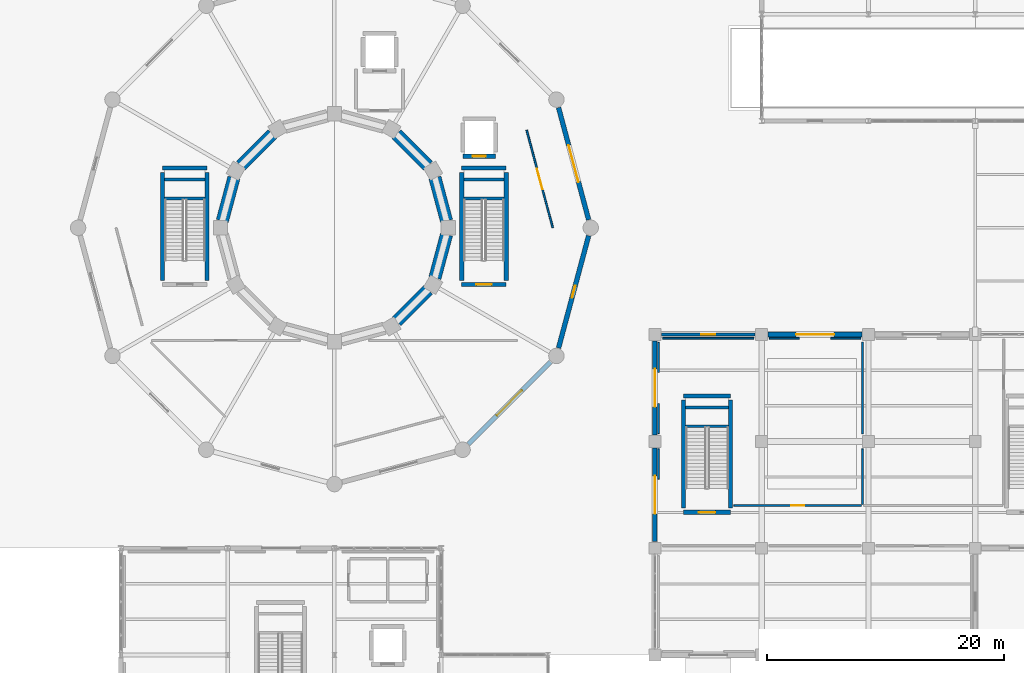
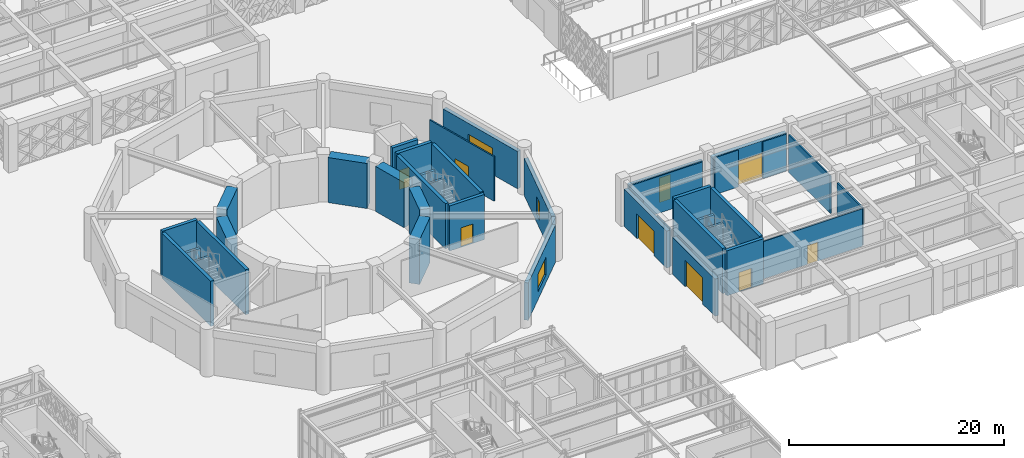
# One storey, part 117 of 140: 41 walls, 9 doors, 3 windows, 12 openings.
"""IFC4 building model written with IfcOpenShell, lengths in metres."""

from ifc_helpers import new_model, si_unit, direction, frame, frame_2d, origin, place, context, subcontext, project, spatial, rectangle, extrude, material, layer, layer_set, type_object, element, fill, save


model = new_model("IFC4")

# Units and contexts
model_context = context("Model", 3, precision=1e-05, world=origin(), true_north=direction((0.0, 1.0)))
body_context = subcontext(model_context, "Body", "Model", "MODEL_VIEW")
ifc_project = project(units=[si_unit("LENGTHUNIT", "METRE"), si_unit("AREAUNIT", "SQUARE_METRE"), si_unit("VOLUMEUNIT", "CUBIC_METRE"), si_unit("PLANEANGLEUNIT", "RADIAN"), si_unit("MASSUNIT", "GRAM", prefix="KILO")], contexts=[model_context])

# Site, building, storey
site_placement = place(None, origin())
site = spatial("IfcSite", under=ifc_project, at=site_placement, CompositionType="ELEMENT")
building_placement = place(site_placement, origin())
building = spatial("IfcBuilding", under=site, at=building_placement, Name="Haizhuo Lancet Aquarium", CompositionType="ELEMENT")
storey_placement = place(building_placement, origin())
storey = spatial("IfcBuildingStorey", under=building, at=storey_placement, Name="L00", CompositionType="ELEMENT", Elevation=0.0)

# Wall, opening, window
ifc_material_1 = material(Name="Shandong Grey Limestone Ashlar", Category="masonry")
ifc_layer_1 = layer(ifc_material_1, 0.280029296875)
ifc_layer_set_1 = layer_set([ifc_layer_1], Name="Shandong Grey Limestone Ashlar")
wall_type_1 = type_object("IfcWallType", Name="EWL-ASH-280", PredefinedType="SOLIDWALL", material=ifc_layer_set_1)
wall_1_placement = place(storey_placement, frame((27.544921875, -9.0, 0.0), z_axis=(0.0, 0.0, 1.0), x_axis=(1.0, 0.0, 0.0)))
wall_1 = element("IfcWall", 1, at=wall_1_placement, inside=storey, type_object=wall_type_1, Name="L00 V3 limestone facade wall 60", PredefinedType="SOLIDWALL", context=body_context, shape_type="SweptSolid", body=[
    extrude(rectangle(XDim=7.91015625, YDim=0.280029296875, at=frame_2d((3.955078125, 0.0))), origin(), (0.0, 0.0, 1.0), 4.205078125),
])
opening_1_placement = place(wall_1_placement, frame((3.35498046875, 0.0, 0.89990234375)))
opening_1 = element("IfcOpeningElement", 2, at=opening_1_placement, cuts=wall_1, Name="Opening WN-01", PredefinedType="OPENING", context=body_context, shape_type="SweptSolid", body=[
    extrude(rectangle(XDim=1.199951171875, YDim=2.800048828125, at=frame_2d((0.60009765625, 1.39990234375))), frame((0.0, 0.14990234375, 0.0), z_axis=(0.0, -1.0, 0.0), x_axis=(1.0, 0.0, 0.0)), (0.0, 0.0, 1.0), 0.300029),
])
ifc_material_2 = material(Name="Laminated Low-E Glass", Category="glass")
window_type_1 = type_object("IfcWindowType", Name="WIN-LAN-1200x2800", PartitioningType="SINGLE_PANEL", PredefinedType="WINDOW", material=ifc_material_2)
window_1_placement = place(opening_1_placement, origin())
window_1 = element("IfcWindow", 3, at=window_1_placement, inside=storey, type_object=window_type_1, Name="L00 V3 lancet window 52", OverallHeight=2.800048828125, OverallWidth=1.199951171875, PartitioningType="SINGLE_PANEL", PredefinedType="WINDOW", context=body_context, shape_type="SweptSolid", body=[
    extrude(rectangle(XDim=1.199951171875, YDim=2.800048828125, at=frame_2d((0.60009765625, 1.39990234375))), frame((0.0, 0.030029296875, 0.0), z_axis=(0.0, -1.0, 0.0), x_axis=(1.0, 0.0, 0.0)), (0.0, 0.0, 1.0), 0.06005859375),
])
fill(opening_1, window_1)

# Wall, opening, door
ifc_layer_2 = layer(ifc_material_1, 0.39990234375)
ifc_layer_set_2 = layer_set([ifc_layer_2], Name="Shandong Grey Limestone Ashlar")
wall_type_2 = type_object("IfcWallType", Name="EWL-ASH-400", PredefinedType="SOLIDWALL", material=ifc_layer_set_2)
wall_2_placement = place(storey_placement, frame((18.885986328125, 10.12890625, 0.0), z_axis=(0.0, 0.0, 1.0), x_axis=(0.258787599316, -0.965934251614, 0.0)))
wall_2 = element("IfcWall", 4, at=wall_2_placement, inside=storey, type_object=wall_type_2, Name="L00 V1 limestone drum wall bay 1", PredefinedType="SOLIDWALL", context=body_context, shape_type="SweptSolid", body=[
    extrude(rectangle(XDim=9.79150390625, YDim=0.39990234375, at=frame_2d((4.895751953125, 0.0))), origin(), (0.0, 0.0, 1.0), 4.2548828125),
])
opening_2_placement = place(wall_2_placement, frame((3.2958984375, 0.0, 0.0)))
opening_2 = element("IfcOpeningElement", 5, at=opening_2_placement, cuts=wall_2, Name="Opening ED-A", PredefinedType="OPENING", context=body_context, shape_type="SweptSolid", body=[
    extrude(rectangle(XDim=3.199951171875, YDim=3.0, at=frame_2d((1.60009765625, 1.5))), frame((0.0, 0.2099609375, 0.0), z_axis=(0.0, -1.0, 0.0), x_axis=(1.0, 0.0, 0.0)), (0.0, 0.0, 1.0), 0.419902),
])
ifc_material_3 = material(Name="Aluminium 6063-T6", Category="aluminium")
door_type_1 = type_object("IfcDoorType", Name="EDR-PORTAL-3200x3000", OperationType="NOTDEFINED", PredefinedType="DOOR", material=ifc_material_3)
door_1_placement = place(opening_2_placement, origin())
door_1 = element("IfcDoor", 6, at=door_1_placement, inside=storey, type_object=door_type_1, Name="Pedestrian entrance portal ED-02", OperationType="DOUBLE_DOOR_SINGLE_SWING", OverallHeight=3.0, OverallWidth=3.199951171875, PredefinedType="DOOR", context=body_context, shape_type="SweptSolid", body=[
    extrude(rectangle(XDim=3.199951171875, YDim=3.0, at=frame_2d((1.60009765625, 1.5))), frame((0.0, 0.02490234375, 0.0), z_axis=(0.0, -1.0, 0.0), x_axis=(1.0, 0.0, 0.0)), (0.0, 0.0, 1.0), 0.050048828125),
])
fill(opening_2, door_1)

# Wall, opening, window
wall_3_placement = place(storey_placement, frame((18.215087890625, -11.291015625, 0.0), z_axis=(0.0, 0.0, 1.0), x_axis=(-0.707106781187, -0.707106781187, 0.0)))
wall_3 = element("IfcWall", 7, at=wall_3_placement, inside=storey, type_object=wall_type_2, Name="L00 V1 limestone drum wall bay 11", PredefinedType="SOLIDWALL", context=body_context, shape_type="SweptSolid", body=[
    extrude(rectangle(XDim=9.792236328125, YDim=0.39990234375, at=frame_2d((4.89599609375, 0.0))), origin(), (0.0, 0.0, 1.0), 4.2548828125),
])
opening_3_placement = place(wall_3_placement, frame((3.39599609375, 0.0, 0.89990234375)))
opening_3 = element("IfcOpeningElement", 8, at=opening_3_placement, cuts=wall_3, Name="Opening WN-10", PredefinedType="OPENING", context=body_context, shape_type="SweptSolid", body=[
    extrude(rectangle(XDim=3.0, YDim=2.0, at=frame_2d((1.5, 1.0))), frame((0.0, 0.2099609375, 0.0), z_axis=(0.0, -1.0, 0.0), x_axis=(1.0, 0.0, 0.0)), (0.0, 0.0, 1.0), 0.419902),
])
window_type_2 = type_object("IfcWindowType", Name="WIN-LAN-3000x2000", PartitioningType="SINGLE_PANEL", PredefinedType="WINDOW", material=ifc_material_2)
window_2_placement = place(opening_3_placement, origin())
window_2 = element("IfcWindow", 9, at=window_2_placement, inside=storey, type_object=window_type_2, Name="L00 Gothic lancet window 7", OverallHeight=2.0, OverallWidth=3.0, PartitioningType="SINGLE_PANEL", PredefinedType="WINDOW", context=body_context, shape_type="SweptSolid", body=[
    extrude(rectangle(XDim=3.0, YDim=2.0, at=frame_2d((1.5, 1.0))), frame((0.0, 0.030029296875, 0.0), z_axis=(0.0, -1.0, 0.0), x_axis=(1.0, 0.0, 0.0)), (0.0, 0.0, 1.0), 0.06005859375),
])
fill(opening_3, window_2)

wall_4_placement = place(storey_placement, frame((21.419921875, -0.6708984375, 0.0), z_axis=(0.0, 0.0, 1.0), x_axis=(-0.258787599316, -0.965934251614, 0.0)))
wall_4 = element("IfcWall", 10, at=wall_4_placement, inside=storey, type_object=wall_type_2, Name="L00 V1 limestone drum wall bay 12", PredefinedType="SOLIDWALL", context=body_context, shape_type="SweptSolid", body=[
    extrude(rectangle(XDim=9.79150390625, YDim=0.39990234375, at=frame_2d((4.895751953125, 0.0))), origin(), (0.0, 0.0, 1.0), 4.2548828125),
])
opening_4_placement = place(wall_4_placement, frame((4.37109375, 0.0, 0.89990234375)))
opening_4 = element("IfcOpeningElement", 11, at=opening_4_placement, cuts=wall_4, Name="Opening WN-12", PredefinedType="OPENING", context=body_context, shape_type="SweptSolid", body=[
    extrude(rectangle(XDim=1.050048828125, YDim=2.0, at=frame_2d((0.52490234375, 1.0))), frame((0.0, 0.2099609375, 0.0), z_axis=(0.0, -1.0, 0.0), x_axis=(1.0, 0.0, 0.0)), (0.0, 0.0, 1.0), 0.419902),
])
window_type_3 = type_object("IfcWindowType", Name="WIN-LAN-1050x2000", PartitioningType="SINGLE_PANEL", PredefinedType="WINDOW", material=ifc_material_2)
window_3_placement = place(opening_4_placement, origin())
window_3 = element("IfcWindow", 12, at=window_3_placement, inside=storey, type_object=window_type_3, Name="L00 Gothic lancet window 8", OverallHeight=2.0, OverallWidth=1.050048828125, PartitioningType="SINGLE_PANEL", PredefinedType="WINDOW", context=body_context, shape_type="SweptSolid", body=[
    extrude(rectangle(XDim=1.050048828125, YDim=2.0, at=frame_2d((0.52490234375, 1.0))), frame((0.0, 0.030029296875, 0.0), z_axis=(0.0, -1.0, 0.0), x_axis=(1.0, 0.0, 0.0)), (0.0, 0.0, 1.0), 0.06005859375),
])
fill(opening_4, window_3)

# Wall, opening, door
wall_5_placement = place(storey_placement, frame((36.544921875, -9.0, 0.0), z_axis=(0.0, 0.0, 1.0), x_axis=(1.0, 0.0, 0.0)))
wall_5 = element("IfcWall", 13, at=wall_5_placement, inside=storey, type_object=wall_type_2, Name="L00 V3 pointed-arch limestone entrance portal wall", PredefinedType="SOLIDWALL", context=body_context, shape_type="SweptSolid", body=[
    extrude(rectangle(XDim=7.91015625, YDim=0.39990234375, at=frame_2d((3.955078125, 0.0))), origin(), (0.0, 0.0, 1.0), 4.205078125),
])
opening_5_placement = place(wall_5_placement, frame((2.35498046875, 0.0, 0.0)))
opening_5 = element("IfcOpeningElement", 14, at=opening_5_placement, cuts=wall_5, Name="Opening ED-B", PredefinedType="OPENING", context=body_context, shape_type="SweptSolid", body=[
    extrude(rectangle(XDim=3.199951171875, YDim=2.800048828125, at=frame_2d((1.60009765625, 1.39990234375))), frame((0.0, 0.2099609375, 0.0), z_axis=(0.0, -1.0, 0.0), x_axis=(1.0, 0.0, 0.0)), (0.0, 0.0, 1.0), 0.419902),
])
door_type_2 = type_object("IfcDoorType", Name="EDR-PORTAL-3200x2800", OperationType="NOTDEFINED", PredefinedType="DOOR", material=ifc_material_3)
door_2_placement = place(opening_5_placement, origin())
door_2 = element("IfcDoor", 15, at=door_2_placement, inside=storey, type_object=door_type_2, Name="Ground pedestrian entrance portal ED-08", OperationType="DOUBLE_DOOR_SINGLE_SWING", OverallHeight=2.800048828125, OverallWidth=3.199951171875, PredefinedType="DOOR", context=body_context, shape_type="SweptSolid", body=[
    extrude(rectangle(XDim=3.199951171875, YDim=2.800048828125, at=frame_2d((1.60009765625, 1.39990234375))), frame((0.0, 0.02490234375, 0.0), z_axis=(0.0, -1.0, 0.0), x_axis=(1.0, 0.0, 0.0)), (0.0, 0.0, 1.0), 0.050048828125),
])
fill(opening_5, door_2)

wall_6_placement = place(storey_placement, frame((27.0, -26.455078125, 0.0), z_axis=(0.0, 0.0, 1.0), x_axis=(0.0, 1.0, 0.0)))
wall_6 = element("IfcWall", 16, at=wall_6_placement, inside=storey, type_object=wall_type_2, Name="L00 V3 pointed-arch limestone entrance portal wall", PredefinedType="SOLIDWALL", context=body_context, shape_type="SweptSolid", body=[
    extrude(rectangle(XDim=7.91015625, YDim=0.39990234375, at=frame_2d((3.955078125, 0.0))), origin(), (0.0, 0.0, 1.0), 4.205078125),
])
opening_6_placement = place(wall_6_placement, frame((2.35498046875, 0.0, 0.0)))
opening_6 = element("IfcOpeningElement", 17, at=opening_6_placement, cuts=wall_6, Name="Opening ED-A", PredefinedType="OPENING", context=body_context, shape_type="SweptSolid", body=[
    extrude(rectangle(XDim=3.199951171875, YDim=3.0, at=frame_2d((1.60009765625, 1.5))), frame((0.0, 0.2099609375, 0.0), z_axis=(0.0, -1.0, 0.0), x_axis=(1.0, 0.0, 0.0)), (0.0, 0.0, 1.0), 0.419902),
])
door_3_placement = place(opening_6_placement, origin())
door_3 = element("IfcDoor", 18, at=door_3_placement, inside=storey, type_object=door_type_1, Name="Ground pedestrian entrance portal ED-13", OperationType="DOUBLE_DOOR_SINGLE_SWING", OverallHeight=3.0, OverallWidth=3.199951171875, PredefinedType="DOOR", context=body_context, shape_type="SweptSolid", body=[
    extrude(rectangle(XDim=3.199951171875, YDim=3.0, at=frame_2d((1.60009765625, 1.5))), frame((0.0, 0.02490234375, 0.0), z_axis=(0.0, -1.0, 0.0), x_axis=(1.0, 0.0, 0.0)), (0.0, 0.0, 1.0), 0.050048828125),
])
fill(opening_6, door_3)

wall_7_placement = place(storey_placement, frame((27.0, -17.455078125, 0.0), z_axis=(0.0, 0.0, 1.0), x_axis=(0.0, 1.0, 0.0)))
wall_7 = element("IfcWall", 19, at=wall_7_placement, inside=storey, type_object=wall_type_2, Name="L00 V3 pointed-arch limestone entrance portal wall", PredefinedType="SOLIDWALL", context=body_context, shape_type="SweptSolid", body=[
    extrude(rectangle(XDim=7.91015625, YDim=0.39990234375, at=frame_2d((3.955078125, 0.0))), origin(), (0.0, 0.0, 1.0), 4.205078125),
])
opening_7_placement = place(wall_7_placement, frame((2.35498046875, 0.0, 0.0)))
opening_7 = element("IfcOpeningElement", 20, at=opening_7_placement, cuts=wall_7, Name="Opening ED-B", PredefinedType="OPENING", context=body_context, shape_type="SweptSolid", body=[
    extrude(rectangle(XDim=3.199951171875, YDim=2.800048828125, at=frame_2d((1.60009765625, 1.39990234375))), frame((0.0, 0.2099609375, 0.0), z_axis=(0.0, -1.0, 0.0), x_axis=(1.0, 0.0, 0.0)), (0.0, 0.0, 1.0), 0.419902),
])
door_4_placement = place(opening_7_placement, origin())
door_4 = element("IfcDoor", 21, at=door_4_placement, inside=storey, type_object=door_type_2, Name="Ground pedestrian entrance portal ED-14", OperationType="DOUBLE_DOOR_SINGLE_SWING", OverallHeight=2.800048828125, OverallWidth=3.199951171875, PredefinedType="DOOR", context=body_context, shape_type="SweptSolid", body=[
    extrude(rectangle(XDim=3.199951171875, YDim=2.800048828125, at=frame_2d((1.60009765625, 1.39990234375))), frame((0.0, 0.02490234375, 0.0), z_axis=(0.0, -1.0, 0.0), x_axis=(1.0, 0.0, 0.0)), (0.0, 0.0, 1.0), 0.050048828125),
])
fill(opening_7, door_4)

ifc_material_4 = material(Name="Gypsum Fireboard Partition")
ifc_layer_3 = layer(ifc_material_4, 0.14990234375)
ifc_layer_set_3 = layer_set([ifc_layer_3], Name="Gypsum Fireboard Partition")
wall_type_3 = type_object("IfcWallType", Name="IWL-STD-150", PredefinedType="PARTITIONING", material=ifc_layer_set_3)
wall_8_placement = place(storey_placement, frame((18.39599609375, 0.0048828125, 0.0), z_axis=(0.0, 0.0, 1.0), x_axis=(-0.258450171781, 0.966024590115, 0.0)))
wall_8 = element("IfcWall", 22, at=wall_8_placement, inside=storey, type_object=wall_type_3, Name="L00 partition wall 90", PredefinedType="PARTITIONING", context=body_context, shape_type="SweptSolid", body=[
    extrude(rectangle(XDim=8.50830078125, YDim=0.14990234375, at=frame_2d((4.254150390625, 0.0))), origin(), (0.0, 0.0, 1.0), 5.050048828125),
])
opening_8_placement = place(wall_8_placement, frame((3.35400390625, 0.0, 0.0)))
opening_8 = element("IfcOpeningElement", 23, at=opening_8_placement, cuts=wall_8, Name="Opening D-02", PredefinedType="OPENING", context=body_context, shape_type="SweptSolid", body=[
    extrude(rectangle(XDim=1.800048828125, YDim=2.300048828125, at=frame_2d((0.89990234375, 1.14990234375))), frame((0.0, 0.0849609375, 0.0), z_axis=(0.0, -1.0, 0.0), x_axis=(1.0, 0.0, 0.0)), (0.0, 0.0, 1.0), 0.169902),
])
door_type_3 = type_object("IfcDoorType", Name="IDR-GAL-1800x2300", OperationType="NOTDEFINED", PredefinedType="DOOR", material=ifc_material_3)
door_5_placement = place(opening_8_placement, origin())
door_5 = element("IfcDoor", 24, at=door_5_placement, inside=storey, type_object=door_type_3, Name="L00 Ocean Tank Lower Pelagic Viewing Hall door", OperationType="DOUBLE_DOOR_SINGLE_SWING", OverallHeight=2.300048828125, OverallWidth=1.800048828125, PredefinedType="DOOR", context=body_context, shape_type="SweptSolid", body=[
    extrude(rectangle(XDim=1.800048828125, YDim=2.300048828125, at=frame_2d((0.89990234375, 1.14990234375))), frame((0.0, 0.02490234375, 0.0), z_axis=(0.0, -1.0, 0.0), x_axis=(1.0, 0.0, 0.0)), (0.0, 0.0, 1.0), 0.050048828125),
])
fill(opening_8, door_5)

# Wall
wall_9_placement = place(storey_placement, frame((27.300048828125, -18.639892578125, 0.0), z_axis=(0.0, 0.0, 1.0), x_axis=(0.000767091538, -0.999999705785, 0.0)))
element("IfcWall", 25, at=wall_9_placement, inside=storey, type_object=wall_type_3, Name="L00 partition wall 104", PredefinedType="PARTITIONING", context=body_context, shape_type="SweptSolid", body=[
    extrude(rectangle(XDim=2.546142578125, YDim=0.14990234375, at=frame_2d((1.27294921875, 0.0))), origin(), (0.0, 0.0, 1.0), 4.2548828125),
])

# Wall, opening, door
wall_10_placement = place(storey_placement, frame((33.64990234375, -23.39990234375, 0.0), z_axis=(0.0, 0.0, 1.0), x_axis=(1.0, 0.0, 0.0)))
wall_10 = element("IfcWall", 26, at=wall_10_placement, inside=storey, type_object=wall_type_3, Name="L00 partition wall 105", PredefinedType="PARTITIONING", context=body_context, shape_type="SweptSolid", body=[
    extrude(rectangle(XDim=10.75, YDim=0.14990234375, at=frame_2d((5.375, 0.0))), origin(), (0.0, 0.0, 1.0), 4.2548828125),
])
opening_9_placement = place(wall_10_placement, frame((4.824951171875, 0.0, 0.0)))
opening_9 = element("IfcOpeningElement", 27, at=opening_9_placement, cuts=wall_10, Name="Opening D-05", PredefinedType="OPENING", context=body_context, shape_type="SweptSolid", body=[
    extrude(rectangle(XDim=1.10009765625, YDim=2.14990234375, at=frame_2d((0.550048828125, 1.074951171875))), frame((0.0, 0.0849609375, 0.0), z_axis=(0.0, -1.0, 0.0), x_axis=(1.0, 0.0, 0.0)), (0.0, 0.0, 1.0), 0.169902),
])
door_type_4 = type_object("IfcDoorType", Name="IDR-CLS-1100x2150", OperationType="NOTDEFINED", PredefinedType="DOOR", material=ifc_material_3)
door_6_placement = place(opening_9_placement, origin())
door_6 = element("IfcDoor", 28, at=door_6_placement, inside=storey, type_object=door_type_4, Name="L00 Education Centre Reception Foyer door", OperationType="SINGLE_SWING_RIGHT", OverallHeight=2.14990234375, OverallWidth=1.10009765625, PredefinedType="DOOR", context=body_context, shape_type="SweptSolid", body=[
    extrude(rectangle(XDim=1.10009765625, YDim=2.14990234375, at=frame_2d((0.550048828125, 1.074951171875))), frame((0.0, 0.02490234375, 0.0), z_axis=(0.0, -1.0, 0.0), x_axis=(1.0, 0.0, 0.0)), (0.0, 0.0, 1.0), 0.050048828125),
])
fill(opening_9, door_6)

# Walls
wall_11_placement = place(storey_placement, frame((44.5, -23.300048828125, 0.0), z_axis=(0.0, 0.0, 1.0), x_axis=(0.0, 1.0, 0.0)))
element("IfcWall", 29, at=wall_11_placement, inside=storey, type_object=wall_type_3, Name="L00 partition wall 106", PredefinedType="PARTITIONING", context=body_context, shape_type="SweptSolid", body=[
    extrude(rectangle(XDim=4.66015625, YDim=0.14990234375, at=frame_2d((2.330078125, 0.0))), origin(), (0.0, 0.0, 1.0), 4.2548828125),
])
wall_12_placement = place(storey_placement, frame((44.5, -17.360107421875, 0.0), z_axis=(0.0, 0.0, 1.0), x_axis=(0.0, 1.0, 0.0)))
element("IfcWall", 30, at=wall_12_placement, inside=storey, type_object=wall_type_3, Name="L00 partition wall 107", PredefinedType="PARTITIONING", context=body_context, shape_type="SweptSolid", body=[
    extrude(rectangle(XDim=7.72021484375, YDim=0.14990234375, at=frame_2d((3.860107421875, 0.0))), origin(), (0.0, 0.0, 1.0), 4.2548828125),
])
for number, where, z_axis, x_axis, name in (
    (31, (44.35009765625, -9.300048828125, 0.0), (0.0, 0.0, 1.0), (-1.0, 0.0, 0.0), "L00 partition wall 108"),
    (32, (39.18505859375, -9.300048828125, 0.0), (0.0, 0.0, 1.0), (-1.0, 0.0, 0.0), "L00 partition wall 109"),
):
    element("IfcWall", number, at=place(storey_placement, frame(where, z_axis=z_axis, x_axis=x_axis)), inside=storey, type_object=wall_type_3, Name=name, PredefinedType="PARTITIONING", context=body_context, shape_type="SweptSolid", body=[
        extrude(rectangle(XDim=2.53515625, YDim=0.14990234375, at=frame_2d((1.267578125, 0.0))), origin(), (0.0, 0.0, 1.0), 4.205078125),
    ])
wall_13_placement = place(storey_placement, frame((35.35009765625, -9.300048828125, 0.0), z_axis=(0.0, 0.0, 1.0), x_axis=(-1.0, 0.0, 0.0)))
element("IfcWall", 33, at=wall_13_placement, inside=storey, type_object=wall_type_3, Name="L00 partition wall 110", PredefinedType="PARTITIONING", context=body_context, shape_type="SweptSolid", body=[
    extrude(rectangle(XDim=7.7001953125, YDim=0.14990234375, at=frame_2d((3.85009765625, 0.0))), origin(), (0.0, 0.0, 1.0), 4.205078125),
])
for number, where, z_axis, x_axis, name in (
    (34, (27.300048828125, -9.64990234375, 0.0), (0.0, 0.0, 1.0), (0.0, -1.0, 0.0), "L00 partition wall 111"),
    (35, (27.300048828125, -14.81494140625, 0.0), (0.0, 0.0, 1.0), (0.0, -1.0, 0.0), "L00 partition wall 112"),
):
    element("IfcWall", number, at=place(storey_placement, frame(where, z_axis=z_axis, x_axis=x_axis)), inside=storey, type_object=wall_type_3, Name=name, PredefinedType="PARTITIONING", context=body_context, shape_type="SweptSolid", body=[
        extrude(rectangle(XDim=2.53515625, YDim=0.14990234375, at=frame_2d((1.267578125, 0.0))), origin(), (0.0, 0.0, 1.0), 4.2548828125),
    ])
ifc_material_5 = material(Name="Concrete C40/50", Category="concrete")
ifc_layer_4 = layer(ifc_material_5, 0.35009765625)
ifc_layer_set_4 = layer_set([ifc_layer_4], Name="Concrete C40/50")
wall_type_4 = type_object("IfcWallType", Name="WL-CORE-350", PredefinedType="SHEAR", material=ifc_layer_set_4)
for number, where, z_axis, x_axis, name in (
    (36, (-14.300048828125, 2.47509765625, 0.0), (0.0, 0.0, 1.0), (1.0, 0.0, 0.0), "L00 ST-01 landing support wall"),
    (37, (-14.300048828125, 4.074951171875, 0.0), (0.0, 0.0, 1.0), (1.0, 0.0, 0.0), "L00 ST-01 far landing support wall"),
):
    element("IfcWall", number, at=place(storey_placement, frame(where, z_axis=z_axis, x_axis=x_axis)), inside=storey, type_object=wall_type_4, Name=name, PredefinedType="SHEAR", context=body_context, shape_type="SweptSolid", body=[
        extrude(rectangle(XDim=3.400146484375, YDim=0.25, at=frame_2d((1.7001953125, 0.0))), origin(), (0.0, 0.0, 1.0), 2.5),
    ])
wall_14_placement = place(storey_placement, frame((-14.47509765625, 5.02490234375, 0.0), z_axis=(0.0, 0.0, 1.0), x_axis=(1.0, 0.0, 0.0)))
element("IfcWall", 38, at=wall_14_placement, inside=storey, type_object=wall_type_4, Name="L00 ST-01 core shear wall N", PredefinedType="SHEAR", context=body_context, shape_type="SweptSolid", body=[
    extrude(rectangle(XDim=3.75, YDim=0.35009765625, at=frame_2d((1.875, 0.0))), origin(), (0.0, 0.0, 1.0), 5.1201171875),
])
for number, where, z_axis, x_axis, name in (
    (39, (-14.47509765625, -4.425048828125, 0.0), (0.0, 0.0, 1.0), (0.0, 1.0, 0.0), "L00 ST-01 core shear wall W"),
    (40, (-10.72509765625, -4.425048828125, 0.0), (0.0, 0.0, 1.0), (0.0, 1.0, 0.0), "L00 ST-01 core shear wall E"),
):
    element("IfcWall", number, at=place(storey_placement, frame(where, z_axis=z_axis, x_axis=x_axis)), inside=storey, type_object=wall_type_4, Name=name, PredefinedType="SHEAR", context=body_context, shape_type="SweptSolid", body=[
        extrude(rectangle(XDim=9.10009765625, YDim=0.35009765625, at=frame_2d((4.550048828125, 0.0))), origin(), (0.0, 0.0, 1.0), 5.1201171875),
    ])
for number, where, z_axis, x_axis, name in (
    (41, (10.89990234375, 2.47509765625, 0.0), (0.0, 0.0, 1.0), (1.0, 0.0, 0.0), "L00 ST-02 landing support wall"),
    (42, (10.89990234375, 4.074951171875, 0.0), (0.0, 0.0, 1.0), (1.0, 0.0, 0.0), "L00 ST-02 far landing support wall"),
):
    element("IfcWall", number, at=place(storey_placement, frame(where, z_axis=z_axis, x_axis=x_axis)), inside=storey, type_object=wall_type_4, Name=name, PredefinedType="SHEAR", context=body_context, shape_type="SweptSolid", body=[
        extrude(rectangle(XDim=3.400146484375, YDim=0.25, at=frame_2d((1.7001953125, 0.0))), origin(), (0.0, 0.0, 1.0), 2.5),
    ])

# Wall, opening, door
wall_15_placement = place(storey_placement, frame((14.47509765625, -4.77490234375, 0.0), z_axis=(0.0, 0.0, 1.0), x_axis=(-1.0, 0.0, 0.0)))
wall_15 = element("IfcWall", 43, at=wall_15_placement, inside=storey, type_object=wall_type_4, Name="L00 ST-02 core shear wall S", PredefinedType="SHEAR", context=body_context, shape_type="SweptSolid", body=[
    extrude(rectangle(XDim=3.75, YDim=0.35009765625, at=frame_2d((1.875, 0.0))), origin(), (0.0, 0.0, 1.0), 5.1201171875),
])
opening_10_placement = place(wall_15_placement, frame((1.22509765625, 0.0, 0.0)))
opening_10 = element("IfcOpeningElement", 44, at=opening_10_placement, cuts=wall_15, Name="Opening FD-02", PredefinedType="OPENING", context=body_context, shape_type="SweptSolid", body=[
    extrude(rectangle(XDim=1.300048828125, YDim=2.199951171875, at=frame_2d((0.64990234375, 1.10009765625))), frame((0.0, 0.18505859375, 0.0), z_axis=(0.0, -1.0, 0.0), x_axis=(1.0, 0.0, 0.0)), (0.0, 0.0, 1.0), 0.370098),
])
ifc_material_6 = material(Name="Steel S355", Category="steel")
door_type_5 = type_object("IfcDoorType", Name="IDR-STAIR-1300x2200", OperationType="NOTDEFINED", PredefinedType="DOOR", material=ifc_material_6)
door_7_placement = place(opening_10_placement, origin())
door_7 = element("IfcDoor", 45, at=door_7_placement, inside=storey, type_object=door_type_5, Name="L00 ST-02 stairwell fire door", OperationType="SINGLE_SWING_LEFT", OverallHeight=2.199951171875, OverallWidth=1.300048828125, PredefinedType="DOOR", context=body_context, shape_type="SweptSolid", body=[
    extrude(rectangle(XDim=1.300048828125, YDim=2.199951171875, at=frame_2d((0.64990234375, 1.10009765625))), frame((0.0, 0.02490234375, 0.0), z_axis=(0.0, -1.0, 0.0), x_axis=(1.0, 0.0, 0.0)), (0.0, 0.0, 1.0), 0.050048828125),
])
fill(opening_10, door_7)

# Walls
wall_16_placement = place(storey_placement, frame((10.72509765625, 5.02490234375, 0.0), z_axis=(0.0, 0.0, 1.0), x_axis=(1.0, 0.0, 0.0)))
element("IfcWall", 46, at=wall_16_placement, inside=storey, type_object=wall_type_4, Name="L00 ST-02 core shear wall N", PredefinedType="SHEAR", context=body_context, shape_type="SweptSolid", body=[
    extrude(rectangle(XDim=3.75, YDim=0.35009765625, at=frame_2d((1.875, 0.0))), origin(), (0.0, 0.0, 1.0), 5.1201171875),
])
for number, where, z_axis, x_axis, name in (
    (47, (10.72509765625, -4.425048828125, 0.0), (0.0, 0.0, 1.0), (0.0, 1.0, 0.0), "L00 ST-02 core shear wall W"),
    (48, (14.47509765625, -4.425048828125, 0.0), (0.0, 0.0, 1.0), (0.0, 1.0, 0.0), "L00 ST-02 core shear wall E"),
):
    element("IfcWall", number, at=place(storey_placement, frame(where, z_axis=z_axis, x_axis=x_axis)), inside=storey, type_object=wall_type_4, Name=name, PredefinedType="SHEAR", context=body_context, shape_type="SweptSolid", body=[
        extrude(rectangle(XDim=9.10009765625, YDim=0.35009765625, at=frame_2d((4.550048828125, 0.0))), origin(), (0.0, 0.0, 1.0), 5.1201171875),
    ])
for number, where, z_axis, x_axis, name in (
    (49, (29.60009765625, -16.72509765625, 0.0), (0.0, 0.0, 1.0), (1.0, 0.0, 0.0), "L00 ST-04 landing support wall"),
    (50, (29.60009765625, -15.125, 0.0), (0.0, 0.0, 1.0), (1.0, 0.0, 0.0), "L00 ST-04 far landing support wall"),
):
    element("IfcWall", number, at=place(storey_placement, frame(where, z_axis=z_axis, x_axis=x_axis)), inside=storey, type_object=wall_type_4, Name=name, PredefinedType="SHEAR", context=body_context, shape_type="SweptSolid", body=[
        extrude(rectangle(XDim=3.599853515625, YDim=0.25, at=frame_2d((1.7998046875, 0.0))), origin(), (0.0, 0.0, 1.0), 2.5),
    ])

# Wall, opening, door
wall_17_placement = place(storey_placement, frame((33.375, -23.97509765625, 0.0), z_axis=(0.0, 0.0, 1.0), x_axis=(-1.0, 0.0, 0.0)))
wall_17 = element("IfcWall", 51, at=wall_17_placement, inside=storey, type_object=wall_type_4, Name="L00 ST-04 core shear wall S", PredefinedType="SHEAR", context=body_context, shape_type="SweptSolid", body=[
    extrude(rectangle(XDim=3.949951171875, YDim=0.35009765625, at=frame_2d((1.97509765625, 0.0))), origin(), (0.0, 0.0, 1.0), 5.1201171875),
])
opening_11_placement = place(wall_17_placement, frame((1.27490234375, 0.0, 0.0)))
opening_11 = element("IfcOpeningElement", 52, at=opening_11_placement, cuts=wall_17, Name="Opening FD-01", PredefinedType="OPENING", context=body_context, shape_type="SweptSolid", body=[
    extrude(rectangle(XDim=1.39990234375, YDim=2.199951171875, at=frame_2d((0.699951171875, 1.10009765625))), frame((0.0, 0.18505859375, 0.0), z_axis=(0.0, -1.0, 0.0), x_axis=(1.0, 0.0, 0.0)), (0.0, 0.0, 1.0), 0.370098),
])
door_type_6 = type_object("IfcDoorType", Name="IDR-STAIR-1400x2200", OperationType="NOTDEFINED", PredefinedType="DOOR", material=ifc_material_6)
door_8_placement = place(opening_11_placement, origin())
door_8 = element("IfcDoor", 53, at=door_8_placement, inside=storey, type_object=door_type_6, Name="L00 ST-04 stairwell fire door", OperationType="SINGLE_SWING_LEFT", OverallHeight=2.199951171875, OverallWidth=1.39990234375, PredefinedType="DOOR", context=body_context, shape_type="SweptSolid", body=[
    extrude(rectangle(XDim=1.39990234375, YDim=2.199951171875, at=frame_2d((0.699951171875, 1.10009765625))), frame((0.0, 0.02490234375, 0.0), z_axis=(0.0, -1.0, 0.0), x_axis=(1.0, 0.0, 0.0)), (0.0, 0.0, 1.0), 0.050048828125),
])
fill(opening_11, door_8)

# Walls
wall_18_placement = place(storey_placement, frame((29.425048828125, -14.175048828125, 0.0), z_axis=(0.0, 0.0, 1.0), x_axis=(1.0, 0.0, 0.0)))
element("IfcWall", 54, at=wall_18_placement, inside=storey, type_object=wall_type_4, Name="L00 ST-04 core shear wall N", PredefinedType="SHEAR", context=body_context, shape_type="SweptSolid", body=[
    extrude(rectangle(XDim=3.949951171875, YDim=0.35009765625, at=frame_2d((1.97509765625, 0.0))), origin(), (0.0, 0.0, 1.0), 5.1201171875),
])
for number, where, z_axis, x_axis, name in (
    (55, (29.425048828125, -23.625, 0.0), (0.0, 0.0, 1.0), (0.0, 1.0, 0.0), "L00 ST-04 core shear wall W"),
    (56, (33.375, -23.625, 0.0), (0.0, 0.0, 1.0), (0.0, 1.0, 0.0), "L00 ST-04 core shear wall E"),
):
    element("IfcWall", number, at=place(storey_placement, frame(where, z_axis=z_axis, x_axis=x_axis)), inside=storey, type_object=wall_type_4, Name=name, PredefinedType="SHEAR", context=body_context, shape_type="SweptSolid", body=[
        extrude(rectangle(XDim=9.10009765625, YDim=0.35009765625, at=frame_2d((4.550048828125, 0.0))), origin(), (0.0, 0.0, 1.0), 5.1201171875),
    ])

# Wall, opening, door
wall_19_placement = place(storey_placement, frame((10.824951171875, 6.02490234375, 0.0), z_axis=(0.0, 0.0, 1.0), x_axis=(1.0, 0.0, 0.0)))
wall_19 = element("IfcWall", 57, at=wall_19_placement, inside=storey, type_object=wall_type_4, Name="L00 LP-01 lift shaft wall -Y", PredefinedType="SHEAR", context=body_context, shape_type="SweptSolid", body=[
    extrude(rectangle(XDim=2.75, YDim=0.35009765625, at=frame_2d((1.375, 0.0))), origin(), (0.0, 0.0, 1.0), 5.1201171875),
])
opening_12_placement = place(wall_19_placement, frame((0.824951171875, 0.0, 0.0)))
opening_12 = element("IfcOpeningElement", 58, at=opening_12_placement, cuts=wall_19, Name="Opening LD-01", PredefinedType="OPENING", context=body_context, shape_type="SweptSolid", body=[
    extrude(rectangle(XDim=1.10009765625, YDim=2.199951171875, at=frame_2d((0.550048828125, 1.10009765625))), frame((0.0, 0.18505859375, 0.0), z_axis=(0.0, -1.0, 0.0), x_axis=(1.0, 0.0, 0.0)), (0.0, 0.0, 1.0), 0.370098),
])
door_type_7 = type_object("IfcDoorType", Name="IDR-LIFT-1100x2200", OperationType="NOTDEFINED", PredefinedType="DOOR", material=ifc_material_6)
door_9_placement = place(opening_12_placement, origin())
door_9 = element("IfcDoor", 59, at=door_9_placement, inside=storey, type_object=door_type_7, Name="L00 LP-01 sliding lift landing door", OperationType="DOUBLE_DOOR_SLIDING", OverallHeight=2.199951171875, OverallWidth=1.10009765625, PredefinedType="DOOR", context=body_context, shape_type="SweptSolid", body=[
    extrude(rectangle(XDim=1.10009765625, YDim=2.199951171875, at=frame_2d((0.550048828125, 1.10009765625))), frame((0.0, 0.02490234375, 0.0), z_axis=(0.0, -1.0, 0.0), x_axis=(1.0, 0.0, 0.0)), (0.0, 0.0, 1.0), 0.050048828125),
])
fill(opening_12, door_9)

# Walls
ifc_material_7 = material(Name="Concrete C45/55", Category="concrete")
ifc_layer_5 = layer(ifc_material_7, 1.050048828125)
ifc_layer_set_5 = layer_set([ifc_layer_5], Name="Concrete C45/55")
wall_type_5 = type_object("IfcWallType", Name="WL-TANK-1050", PredefinedType="SHEAR", material=ifc_layer_set_5)
wall_20_placement = place(storey_placement, frame((9.445068359375, 0.580078125, 0.0), z_axis=(0.0, 0.0, 1.0), x_axis=(-0.259009169026, 0.965874862682, 0.0)))
element("IfcWall", 60, at=wall_20_placement, inside=storey, type_object=wall_type_5, Name="L00 Pelagic Ocean Tank hydrostatic wall chord 1", PredefinedType="SHEAR", context=body_context, shape_type="SweptSolid", body=[
    extrude(rectangle(XDim=3.7685546875, YDim=1.050048828125, at=frame_2d((1.88427734375, 0.0))), origin(), (0.0, 0.0, 1.0), 5.1201171875),
])
for number, where, z_axis, x_axis, name in (
    (61, (7.889892578125, 5.22412109375, 0.0), (0.0, 0.0, 1.0), (-0.707106781187, 0.707106781187, 0.0), "L00 Pelagic Ocean Tank hydrostatic wall chord 2"),
    (62, (-5.22412109375, 7.889892578125, 0.0), (0.0, 0.0, 1.0), (-0.707106781187, -0.707106781187, 0.0), "L00 Pelagic Ocean Tank hydrostatic wall chord 5"),
):
    element("IfcWall", number, at=place(storey_placement, frame(where, z_axis=z_axis, x_axis=x_axis)), inside=storey, type_object=wall_type_5, Name=name, PredefinedType="SHEAR", context=body_context, shape_type="SweptSolid", body=[
        extrude(rectangle(XDim=3.77001953125, YDim=1.050048828125, at=frame_2d((1.885009765625, 0.0))), origin(), (0.0, 0.0, 1.0), 5.1201171875),
    ])
wall_21_placement = place(storey_placement, frame((-8.468994140625, 4.219970703125, 0.0), z_axis=(0.0, 0.0, 1.0), x_axis=(-0.259009169026, -0.965874862682, 0.0)))
element("IfcWall", 63, at=wall_21_placement, inside=storey, type_object=wall_type_5, Name="L00 Pelagic Ocean Tank hydrostatic wall chord 6", PredefinedType="SHEAR", context=body_context, shape_type="SweptSolid", body=[
    extrude(rectangle(XDim=3.7685546875, YDim=1.050048828125, at=frame_2d((1.88427734375, 0.0))), origin(), (0.0, 0.0, 1.0), 5.1201171875),
])
wall_22_placement = place(storey_placement, frame((5.22412109375, -7.889892578125, 0.0), z_axis=(0.0, 0.0, 1.0), x_axis=(0.707106781187, 0.707106781187, 0.0)))
element("IfcWall", 64, at=wall_22_placement, inside=storey, type_object=wall_type_5, Name="L00 Pelagic Ocean Tank hydrostatic wall chord 11", PredefinedType="SHEAR", context=body_context, shape_type="SweptSolid", body=[
    extrude(rectangle(XDim=3.77001953125, YDim=1.050048828125, at=frame_2d((1.885009765625, 0.0))), origin(), (0.0, 0.0, 1.0), 5.1201171875),
])
wall_23_placement = place(storey_placement, frame((8.468994140625, -4.219970703125, 0.0), z_axis=(0.0, 0.0, 1.0), x_axis=(0.259009169026, 0.965874862682, 0.0)))
element("IfcWall", 65, at=wall_23_placement, inside=storey, type_object=wall_type_5, Name="L00 Pelagic Ocean Tank hydrostatic wall chord 12", PredefinedType="SHEAR", context=body_context, shape_type="SweptSolid", body=[
    extrude(rectangle(XDim=3.7685546875, YDim=1.050048828125, at=frame_2d((1.88427734375, 0.0))), origin(), (0.0, 0.0, 1.0), 5.1201171875),
])

save(model, "model.ifc")
